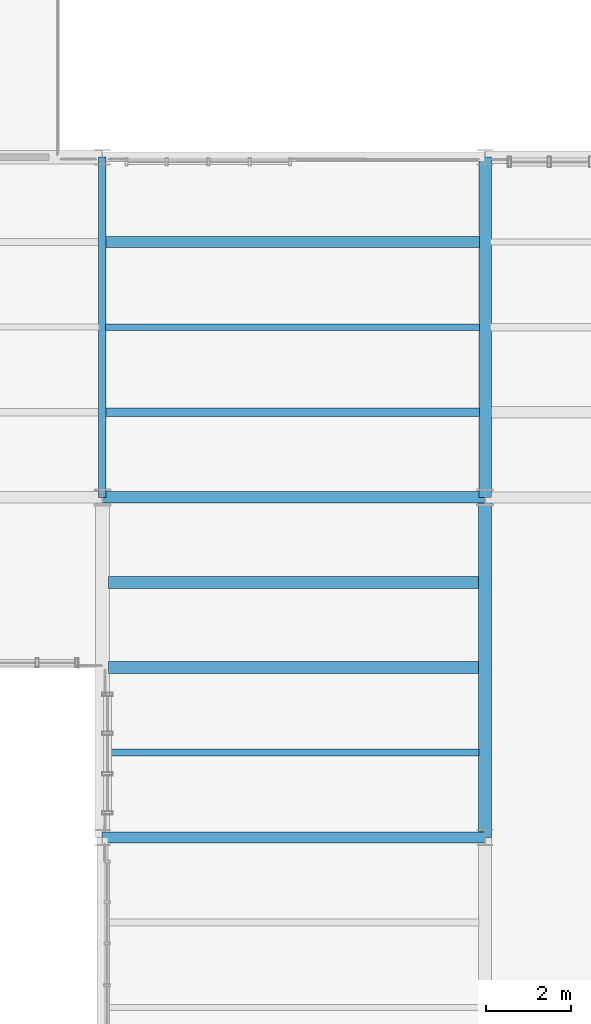
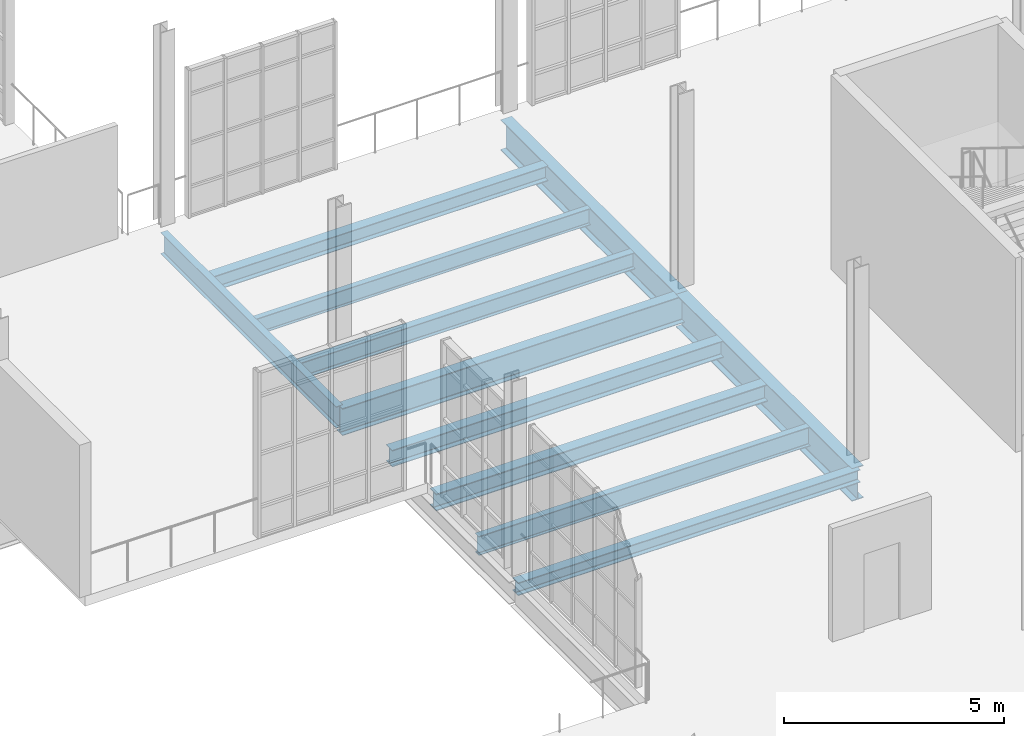
# One storey, part 53 of 142: 11 beams.
"""IFC4 building model written with IfcOpenShell, lengths in metres."""

from ifc_helpers import new_model, si_unit, direction, frame, origin, origin_2d, place, context, subcontext, project, spatial, i_section, extrude, material, material_profile, profile_set, type_object, element, save


model = new_model("IFC4")

# Units and contexts
model_context = context("Model", 3, precision=1e-05, world=origin(), true_north=direction((0.0, 1.0)))
body_context = subcontext(model_context, "Body", "Model", "MODEL_VIEW")
ifc_project = project(units=[si_unit("LENGTHUNIT", "METRE"), si_unit("AREAUNIT", "SQUARE_METRE"), si_unit("VOLUMEUNIT", "CUBIC_METRE"), si_unit("PLANEANGLEUNIT", "RADIAN"), si_unit("MASSUNIT", "GRAM", prefix="KILO"), si_unit("THERMODYNAMICTEMPERATUREUNIT", "KELVIN"), si_unit("POWERUNIT", "WATT")], contexts=[model_context])

# Site, building, storey
site_placement = place(None, origin())
site = spatial("IfcSite", under=ifc_project, at=site_placement, CompositionType="ELEMENT")
building_placement = place(site_placement, origin())
building = spatial("IfcBuilding", under=site, at=building_placement, Name="Zelmaris Science Centre", CompositionType="ELEMENT")
storey_placement = place(building_placement, frame((0.0, 0.0, 5.39990234375)))
storey = spatial("IfcBuildingStorey", under=building, at=storey_placement, Name="L01", CompositionType="ELEMENT", Elevation=5.39990234375)

# Beams
ifc_material = material(Name="Steel ASTM A992 Grade 50", Category="steel")
ifc_material_profile_1 = material_profile(ifc_material, i_section(OverallWidth=0.304931640625, OverallDepth=0.9140625, WebThickness=0.0166015625, FlangeThickness=0.02587890625, FilletRadius=0.02392578125, at=origin_2d()), Name="W36X160")
ifc_profile_set_1 = profile_set([ifc_material_profile_1], Name="Steel ASTM A992 Grade 50")
beam_type_1 = type_object("IfcBeamType", Name="Beam G-04 W36X160", PredefinedType="BEAM", material=ifc_profile_set_1)
beam_1_placement = place(storey_placement, frame((126.0, 40.0, -0.73681640625), z_axis=(0.0, 1.0, 0.0), x_axis=(-1.0, 0.0, 0.0)))
element("IfcBeam", 1, at=beam_1_placement, inside=storey, type_object=beam_type_1, Name="L01 North-south girder 311", PredefinedType="BEAM", context=body_context, shape_type="SweptSolid", body=[
    extrude(i_section(OverallWidth=0.304931640625, OverallDepth=0.9140625, WebThickness=0.0166015625, FlangeThickness=0.02587890625, FilletRadius=0.02392578125, at=origin_2d()), origin(), (0.0, 0.0, 1.0), 8.0),
])
ifc_material_profile_2 = material_profile(ifc_material, i_section(OverallWidth=0.294921875, OverallDepth=0.85107421875, WebThickness=0.01611328125, FlangeThickness=0.02685546875, FilletRadius=0.02001953125, at=origin_2d()), Name="W33X152")
ifc_profile_set_2 = profile_set([ifc_material_profile_2], Name="Steel ASTM A992 Grade 50")
beam_type_2 = type_object("IfcBeamType", Name="Beam G-06 W33X152", PredefinedType="BEAM", material=ifc_profile_set_2)
beam_2_placement = place(storey_placement, frame((126.0, 48.0, -0.705322265625), z_axis=(0.0, 1.0, 0.0), x_axis=(-1.0, 0.0, 0.0)))
element("IfcBeam", 2, at=beam_2_placement, inside=storey, type_object=beam_type_2, Name="L01 North-south girder 312", PredefinedType="BEAM", context=body_context, shape_type="SweptSolid", body=[
    extrude(i_section(OverallWidth=0.294921875, OverallDepth=0.85107421875, WebThickness=0.01611328125, FlangeThickness=0.02685546875, FilletRadius=0.02001953125, at=origin_2d()), origin(), (0.0, 0.0, 1.0), 8.0),
])
ifc_material_profile_3 = material_profile(ifc_material, i_section(OverallWidth=0.26708984375, OverallDepth=0.757080078125, WebThickness=0.013916015625, FlangeThickness=0.019287109375, FilletRadius=0.01904296875, at=origin_2d()), Name="W30X108")
ifc_profile_set_3 = profile_set([ifc_material_profile_3], Name="Steel ASTM A992 Grade 50")
beam_type_3 = type_object("IfcBeamType", Name="Beam G-10 W30X108", PredefinedType="BEAM", material=ifc_profile_set_3)
beam_3_placement = place(storey_placement, frame((117.0, 48.0, -0.658447265625), z_axis=(1.0, 0.0, 0.0), x_axis=(0.0, 1.0, 0.0)))
element("IfcBeam", 3, at=beam_3_placement, inside=storey, type_object=beam_type_3, Name="L01 East-west girder 377", PredefinedType="BEAM", context=body_context, shape_type="SweptSolid", body=[
    extrude(i_section(OverallWidth=0.26708984375, OverallDepth=0.757080078125, WebThickness=0.013916015625, FlangeThickness=0.019287109375, FilletRadius=0.01904296875, at=origin_2d()), origin(), (0.0, 0.0, 1.0), 9.0),
])
ifc_material_profile_4 = material_profile(ifc_material, i_section(OverallWidth=0.177978515625, OverallDepth=0.59912109375, WebThickness=0.010009765625, FlangeThickness=0.0126953125, FilletRadius=0.014892578125, at=origin_2d()), Name="W24X55")
ifc_profile_set_4 = profile_set([ifc_material_profile_4], Name="Steel ASTM A992 Grade 50")
beam_type_4 = type_object("IfcBeamType", Name="Beam G-38 W24X55", PredefinedType="BEAM", material=ifc_profile_set_4)
beam_4_placement = place(storey_placement, frame((117.0, 48.0, -0.579345703125), z_axis=(0.0, 1.0, 0.0), x_axis=(-1.0, 0.0, 0.0)))
element("IfcBeam", 4, at=beam_4_placement, inside=storey, type_object=beam_type_4, Name="L01 North-south girder 306", PredefinedType="BEAM", context=body_context, shape_type="SweptSolid", body=[
    extrude(i_section(OverallWidth=0.177978515625, OverallDepth=0.59912109375, WebThickness=0.010009765625, FlangeThickness=0.0126953125, FilletRadius=0.014892578125, at=origin_2d()), origin(), (0.0, 0.0, 1.0), 8.0),
])
ifc_material_profile_5 = material_profile(ifc_material, i_section(OverallWidth=0.25390625, OverallDepth=0.35595703125, WebThickness=0.010498046875, FlangeThickness=0.018310546875, FilletRadius=0.014892578125, at=origin_2d()), Name="W14X68")
ifc_profile_set_5 = profile_set([ifc_material_profile_5], Name="Steel ASTM A992 Grade 50")
beam_type_5 = type_object("IfcBeamType", Name="Beam G-41 W14X68", PredefinedType="BEAM", material=ifc_profile_set_5)
beam_5_placement = place(storey_placement, frame((117.0, 40.0, -0.4580078125), z_axis=(1.0, 0.0, 0.0), x_axis=(0.0, 1.0, 0.0)))
element("IfcBeam", 5, at=beam_5_placement, inside=storey, type_object=beam_type_5, Name="L01 East-west girder 371", PredefinedType="BEAM", context=body_context, shape_type="SweptSolid", body=[
    extrude(i_section(OverallWidth=0.25390625, OverallDepth=0.35595703125, WebThickness=0.010498046875, FlangeThickness=0.018310546875, FilletRadius=0.014892578125, at=origin_2d()), origin(), (0.0, 0.0, 1.0), 9.0),
])
ifc_material_profile_6 = material_profile(ifc_material, i_section(OverallWidth=0.16796875, OverallDepth=0.532958984375, WebThickness=0.01025390625, FlangeThickness=0.0166015625, FilletRadius=0.013916015625, at=origin_2d()), Name="W21X57")
ifc_profile_set_6 = profile_set([ifc_material_profile_6], Name="Steel ASTM A992 Grade 50")
beam_type_6 = type_object("IfcBeamType", Name="Beam J-01 W21X57", PredefinedType="JOIST", material=ifc_profile_set_6)
beam_6_placement = place(storey_placement, frame((117.14892578125, 42.0, -0.54638671875), z_axis=(1.0, 0.0, 0.0), x_axis=(0.0, 1.0, 0.0)))
element("IfcBeam", 6, at=beam_6_placement, inside=storey, type_object=beam_type_6, Name="L01 Composite floor joist 180", PredefinedType="JOIST", context=body_context, shape_type="SweptSolid", body=[
    extrude(i_section(OverallWidth=0.16796875, OverallDepth=0.532958984375, WebThickness=0.01025390625, FlangeThickness=0.0166015625, FilletRadius=0.013916015625, at=origin_2d()), origin(), (0.0, 0.0, 1.0), 8.713623046875),
])
ifc_material_profile_7 = material_profile(ifc_material, i_section(OverallWidth=0.281982421875, OverallDepth=0.471923828125, WebThickness=0.013671875, FlangeThickness=0.022216796875, FilletRadius=0.012939453125, at=origin_2d()), Name="W18X97")
ifc_profile_set_7 = profile_set([ifc_material_profile_7], Name="Steel ASTM A992 Grade 50")
beam_type_7 = type_object("IfcBeamType", Name="Beam J-02 W18X97", PredefinedType="JOIST", material=ifc_profile_set_7)
beam_7_placement = place(storey_placement, frame((117.14892578125, 44.0, -0.515869140625), z_axis=(1.0, 0.0, 0.0), x_axis=(0.0, 1.0, 0.0)))
element("IfcBeam", 7, at=beam_7_placement, inside=storey, type_object=beam_type_7, Name="L01 Composite floor joist 181", PredefinedType="JOIST", context=body_context, shape_type="SweptSolid", body=[
    extrude(i_section(OverallWidth=0.281982421875, OverallDepth=0.471923828125, WebThickness=0.013671875, FlangeThickness=0.022216796875, FilletRadius=0.012939453125, at=origin_2d()), origin(), (0.0, 0.0, 1.0), 8.713623046875),
])
ifc_material_profile_8 = material_profile(ifc_material, i_section(OverallWidth=0.279052734375, OverallDepth=0.4619140625, WebThickness=0.0107421875, FlangeThickness=0.017333984375, FilletRadius=0.012939453125, at=origin_2d()), Name="W18X76")
ifc_profile_set_8 = profile_set([ifc_material_profile_8], Name="Steel ASTM A992 Grade 50")
beam_type_8 = type_object("IfcBeamType", Name="Beam J-03 W18X76", PredefinedType="JOIST", material=ifc_profile_set_8)
beam_8_placement = place(storey_placement, frame((117.14892578125, 46.0, -0.510986328125), z_axis=(1.0, 0.0, 0.0), x_axis=(0.0, 1.0, 0.0)))
element("IfcBeam", 8, at=beam_8_placement, inside=storey, type_object=beam_type_8, Name="L01 Composite floor joist 182", PredefinedType="JOIST", context=body_context, shape_type="SweptSolid", body=[
    extrude(i_section(OverallWidth=0.279052734375, OverallDepth=0.4619140625, WebThickness=0.0107421875, FlangeThickness=0.017333984375, FilletRadius=0.012939453125, at=origin_2d()), origin(), (0.0, 0.0, 1.0), 8.713623046875),
])
ifc_material_profile_9 = material_profile(ifc_material, i_section(OverallWidth=0.19091796875, OverallDepth=0.4599609375, WebThickness=0.010009765625, FlangeThickness=0.01611328125, FilletRadius=0.012939453125, at=origin_2d()), Name="W18X55")
ifc_profile_set_9 = profile_set([ifc_material_profile_9], Name="Steel ASTM A992 Grade 50")
beam_type_9 = type_object("IfcBeamType", Name="Beam J-04 W18X55", PredefinedType="JOIST", material=ifc_profile_set_9)
beam_9_placement = place(storey_placement, frame((117.073974609375, 50.0, -0.510009765625), z_axis=(1.0, 0.0, 0.0), x_axis=(0.0, 1.0, 0.0)))
element("IfcBeam", 9, at=beam_9_placement, inside=storey, type_object=beam_type_9, Name="L01 Composite floor joist 183", PredefinedType="JOIST", context=body_context, shape_type="SweptSolid", body=[
    extrude(i_section(OverallWidth=0.19091796875, OverallDepth=0.4599609375, WebThickness=0.010009765625, FlangeThickness=0.01611328125, FilletRadius=0.012939453125, at=origin_2d()), origin(), (0.0, 0.0, 1.0), 8.79345703125),
])
ifc_material_profile_10 = material_profile(ifc_material, i_section(OverallWidth=0.152099609375, OverallDepth=0.455078125, WebThickness=0.008056640625, FlangeThickness=0.01318359375, FilletRadius=0.012939453125, at=origin_2d()), Name="W18X40")
ifc_profile_set_10 = profile_set([ifc_material_profile_10], Name="Steel ASTM A992 Grade 50")
beam_type_10 = type_object("IfcBeamType", Name="Beam J-05 W18X40", PredefinedType="JOIST", material=ifc_profile_set_10)
beam_10_placement = place(storey_placement, frame((117.073974609375, 52.0, -0.50732421875), z_axis=(1.0, 0.0, 0.0), x_axis=(0.0, 1.0, 0.0)))
element("IfcBeam", 10, at=beam_10_placement, inside=storey, type_object=beam_type_10, Name="L01 Composite floor joist 184", PredefinedType="JOIST", context=body_context, shape_type="SweptSolid", body=[
    extrude(i_section(OverallWidth=0.152099609375, OverallDepth=0.455078125, WebThickness=0.008056640625, FlangeThickness=0.01318359375, FilletRadius=0.012939453125, at=origin_2d()), origin(), (0.0, 0.0, 1.0), 8.79345703125),
])
ifc_material_profile_11 = material_profile(ifc_material, i_section(OverallWidth=0.260009765625, OverallDepth=0.4140625, WebThickness=0.010009765625, FlangeThickness=0.016845703125, FilletRadius=0.011962890625, at=origin_2d()), Name="W16X67")
ifc_profile_set_11 = profile_set([ifc_material_profile_11], Name="Steel ASTM A992 Grade 50")
beam_type_11 = type_object("IfcBeamType", Name="Beam J-06 W16X67", PredefinedType="JOIST", material=ifc_profile_set_11)
beam_11_placement = place(storey_placement, frame((117.073974609375, 54.0, -0.48681640625), z_axis=(1.0, 0.0, 0.0), x_axis=(0.0, 1.0, 0.0)))
element("IfcBeam", 11, at=beam_11_placement, inside=storey, type_object=beam_type_11, Name="L01 Composite floor joist 185", PredefinedType="JOIST", context=body_context, shape_type="SweptSolid", body=[
    extrude(i_section(OverallWidth=0.260009765625, OverallDepth=0.4140625, WebThickness=0.010009765625, FlangeThickness=0.016845703125, FilletRadius=0.011962890625, at=origin_2d()), origin(), (0.0, 0.0, 1.0), 8.79345703125),
])

save(model, "model.ifc")
